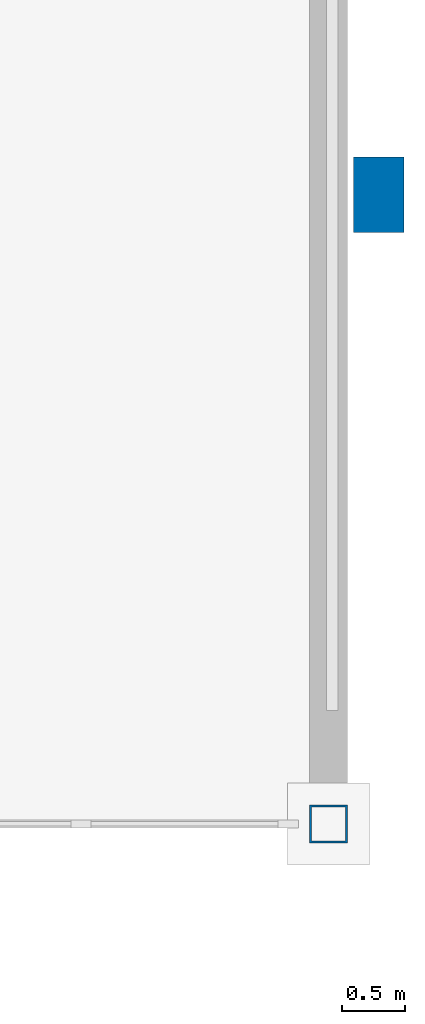
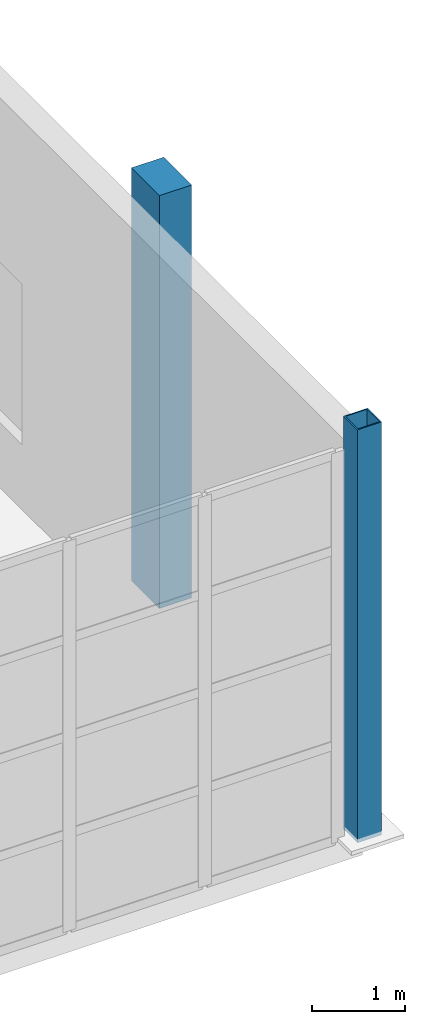
# One storey, part 11 of 82: 2 columns.
"""IFC4 building model written with IfcOpenShell, lengths in metres."""

from ifc_helpers import new_model, si_unit, direction, frame, origin, origin_2d, place, context, subcontext, project, spatial, rectangle, hollow_rectangle, extrude, material, material_profile, profile_set, type_object, element, save


model = new_model("IFC4")

# Units and contexts
model_context = context("Model", 3, precision=1e-05, world=origin(), true_north=direction((0.0, 1.0)))
body_context = subcontext(model_context, "Body", "Model", "MODEL_VIEW")
ifc_project = project(units=[si_unit("LENGTHUNIT", "METRE"), si_unit("AREAUNIT", "SQUARE_METRE"), si_unit("VOLUMEUNIT", "CUBIC_METRE"), si_unit("PLANEANGLEUNIT", "RADIAN"), si_unit("MASSUNIT", "GRAM", prefix="KILO")], contexts=[model_context])

# Site, building, storey
site_placement = place(None, origin())
site = spatial("IfcSite", under=ifc_project, at=site_placement, CompositionType="ELEMENT")
building_placement = place(site_placement, origin())
building = spatial("IfcBuilding", under=site, at=building_placement, Name="Serraluz Foothill Cableway Terminal", CompositionType="ELEMENT")
storey_placement = place(building_placement, frame((0.0, 0.0, 9.60009765625)))
storey = spatial("IfcBuildingStorey", under=building, at=storey_placement, Name="L02", CompositionType="ELEMENT", Elevation=9.60009765625)

# Columns
ifc_material_1 = material(Name="Steel ASTM A572 Grade 50", Category="steel")
ifc_material_profile_1 = material_profile(ifc_material_1, hollow_rectangle(XDim=0.300048828125, YDim=0.300048828125, WallThickness=0.01611328125, at=origin_2d()), Name="HSS300X300X16")
ifc_profile_set_1 = profile_set([ifc_material_profile_1], Name="Steel ASTM A572 Grade 50")
column_type_1 = type_object("IfcColumnType", Name="TYP-COL-HSS300", PredefinedType="COLUMN", material=ifc_profile_set_1)
column_1_placement = place(storey_placement, frame((174.0, 56.0, 0.0), z_axis=(0.0, 0.0, 1.0), x_axis=(1.0, 0.0, 0.0)))
element("IfcColumn", 1, at=column_1_placement, inside=storey, type_object=column_type_1, Name="Column COL-V2-174-56-L02", PredefinedType="COLUMN", context=body_context, shape_type="SweptSolid", body=[
    extrude(hollow_rectangle(XDim=0.300048828125, YDim=0.300048828125, WallThickness=0.01611328125, at=origin_2d()), origin(), (0.0, 0.0, 1.0), 5.39990234375),
])
ifc_material_2 = material(Name="Fired clay masonry brick (f'm 12 MPa)", Category="masonry")
ifc_material_profile_2 = material_profile(ifc_material_2, rectangle(XDim=0.39990234375, YDim=0.60009765625, at=origin_2d()), Name="PIL 400x600")
ifc_profile_set_2 = profile_set([ifc_material_profile_2], Name="Fired clay masonry brick (f'm 12 MPa)")
column_type_2 = type_object("IfcColumnType", Name="TYP-PIL-400X600", PredefinedType="PILASTER", material=ifc_profile_set_2)
column_2_placement = place(storey_placement, frame((174.39990234375, 61.0, 0.0), z_axis=(0.0, 0.0, 1.0), x_axis=(1.0, 0.0, 0.0)))
element("IfcColumn", 2, at=column_2_placement, inside=storey, type_object=column_type_2, Name="Brick Pilaster Pier PL-14 L02", PredefinedType="PILASTER", context=body_context, shape_type="SweptSolid", body=[
    extrude(rectangle(XDim=0.39990234375, YDim=0.60009765625, at=origin_2d()), origin(), (0.0, 0.0, 1.0), 5.39990234375),
])

save(model, "model.ifc")
